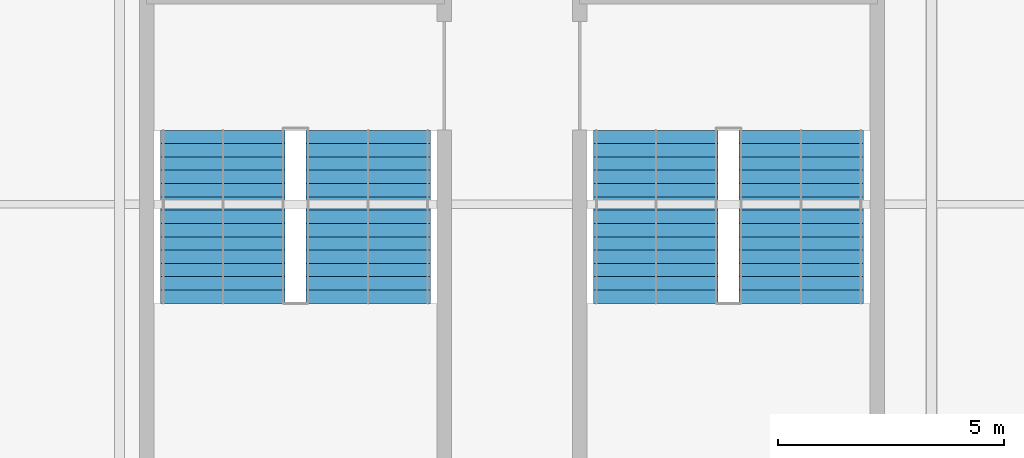
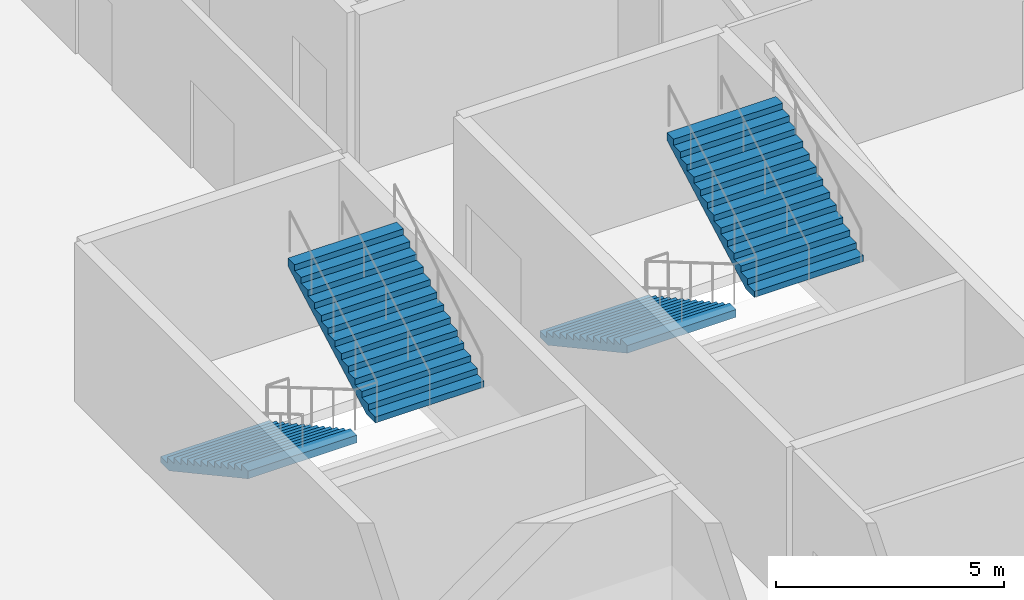
# One storey, part 22 of 28: 4 stair flights, 2 elements without a shape of their own.
"""IFC4 building model written with IfcOpenShell, lengths in metres."""

from ifc_helpers import new_model, si_unit, direction, frame, origin, place, context, subcontext, project, spatial, polygons, material, type_object, element, aggregate, save


model = new_model("IFC4")

# Units and contexts
model_context = context("Model", 3, precision=1e-05, world=origin(), true_north=direction((0.0, 1.0)))
body_context = subcontext(model_context, "Body", "Model", "MODEL_VIEW")
ifc_project = project(units=[si_unit("LENGTHUNIT", "METRE"), si_unit("AREAUNIT", "SQUARE_METRE"), si_unit("VOLUMEUNIT", "CUBIC_METRE"), si_unit("PLANEANGLEUNIT", "RADIAN"), si_unit("MASSUNIT", "GRAM", prefix="KILO")], contexts=[model_context])

# Site, building, storey
site_placement = place(None, origin())
site = spatial("IfcSite", under=ifc_project, at=site_placement, CompositionType="ELEMENT")
building_placement = place(site_placement, origin())
building = spatial("IfcBuilding", under=site, at=building_placement, Name="Kisiwana Market Hall", CompositionType="ELEMENT")
storey_placement = place(building_placement, frame((0.0, 0.0, 49.5)))
storey = spatial("IfcBuildingStorey", under=building, at=storey_placement, Name="L11", CompositionType="ELEMENT", Elevation=49.5)

# Stair, stair flights
ifc_material_1 = material(Name="Concrete C32/40", Category="concrete")
stair_type = type_object("IfcStairType", Name="ST-ESC-4500", PredefinedType="TWO_STRAIGHT_RUN_STAIR", material=ifc_material_1)
stair_1_placement = place(storey_placement, origin())
stair_1 = element("IfcStair", 1, at=stair_1_placement, inside=storey, type_object=stair_type, Name="Escape stair ST-E4-L11", PredefinedType="TWO_STRAIGHT_RUN_STAIR")
ifc_material_2 = material(Name="Concrete C32/40", Category="concrete")
stair_flight_type = type_object("IfcStairFlightType", Name="SF-ESC-4500", PredefinedType="STRAIGHT", material=ifc_material_2)
stair_flight_1_placement = place(storey_placement, frame((182.889892578125, 77.639892578125, 0.0), z_axis=(0.0, 0.0, 1.0), x_axis=(0.0, -1.0, 0.0)))
stair_flight_1 = element("IfcStairFlight", 2, at=stair_flight_1_placement, type_object=stair_flight_type, Name="ST-E4-L11 flight 1", NumberOfRisers=14, NumberOfTreads=13, PredefinedType="STRAIGHT", RiserHeight=0.160714, TreadLength=0.295, context=body_context, shape_type="Tessellation", body=[
    polygons([(0.0, -1.380127, 0.0), (0.0, -0.690125, 0.0), (0.0, -0.000122, 0.0), (0.0, 0.68988, 0.0), (0.0, 1.379883, 0.0), (0.0, -1.380127, 0.160645), (0.0, -0.690125, 0.160645), (0.0, -0.000122, 0.160645), (0.0, 0.68988, 0.160645), (0.0, 1.379883, 0.160645), (0.294922, -1.380127, 0.160645), (0.294922, -0.690125, 0.160645), (0.294922, -0.000122, 0.160645), (0.294922, 0.68988, 0.160645), (0.294922, 1.379883, 0.160645), (0.294922, -1.380127, 0.321533), (0.294922, -0.690125, 0.321533), (0.294922, -0.000122, 0.321533), (0.294922, 0.68988, 0.321533), (0.294922, 1.379883, 0.321533), (0.590088, -1.380127, 0.321533), (0.590088, -0.690125, 0.321533), (0.590088, -0.000122, 0.321533), (0.590088, 0.68988, 0.321533), (0.590088, 1.379883, 0.321533), (0.590088, -1.380127, 0.482178), (0.590088, -0.690125, 0.482178), (0.590088, -0.000122, 0.482178), (0.590088, 0.68988, 0.482178), (0.590088, 1.379883, 0.482178), (0.88501, -1.380127, 0.482178), (0.88501, -0.690125, 0.482178), (0.88501, -0.000122, 0.482178), (0.88501, 0.68988, 0.482178), (0.88501, 1.379883, 0.482178), (0.88501, -1.380127, 0.642822), (0.88501, -0.690125, 0.642822), (0.88501, -0.000122, 0.642822), (0.88501, 0.68988, 0.642822), (0.88501, 1.379883, 0.642822), (1.179932, -1.380127, 0.642822), (1.179932, -0.690125, 0.642822), (1.179932, -0.000122, 0.642822), (1.179932, 0.68988, 0.642822), (1.179932, 1.379883, 0.642822), (1.179932, -1.380127, 0.803467), (1.179932, -0.690125, 0.803467), (1.179932, -0.000122, 0.803467), (1.179932, 0.68988, 0.803467), (1.179932, 1.379883, 0.803467), (1.475098, -1.380127, 0.803467), (1.475098, -0.690125, 0.803467), (1.475098, -0.000122, 0.803467), (1.475098, 0.68988, 0.803467), (1.475098, 1.379883, 0.803467), (1.475098, -1.380127, 0.964355), (1.475098, -0.690125, 0.964355), (1.475098, -0.000122, 0.964355), (1.475098, 0.68988, 0.964355), (1.475098, 1.379883, 0.964355), (1.77002, -1.380127, 0.964355), (1.77002, -0.690125, 0.964355), (1.77002, -0.000122, 0.964355), (1.77002, 0.68988, 0.964355), (1.77002, 1.379883, 0.964355), (1.77002, -1.380127, 1.125), (1.77002, -0.690125, 1.125), (1.77002, -0.000122, 1.125), (1.77002, 0.68988, 1.125), (1.77002, 1.379883, 1.125), (2.064941, -1.380127, 1.125), (2.064941, -0.690125, 1.125), (2.064941, -0.000122, 1.125), (2.064941, 0.68988, 1.125), (2.064941, 1.379883, 1.125), (2.064941, -1.380127, 1.285645), (2.064941, -0.690125, 1.285645), (2.064941, -0.000122, 1.285645), (2.064941, 0.68988, 1.285645), (2.064941, 1.379883, 1.285645), (2.360107, -1.380127, 1.285645), (2.360107, -0.690125, 1.285645), (2.360107, -0.000122, 1.285645), (2.360107, 0.68988, 1.285645), (2.360107, 1.379883, 1.285645), (2.360107, -1.380127, 1.446533), (2.360107, -0.690125, 1.446533), (2.360107, -0.000122, 1.446533), (2.360107, 0.68988, 1.446533), (2.360107, 1.379883, 1.446533), (2.655029, -1.380127, 1.446533), (2.655029, -0.690125, 1.446533), (2.655029, -0.000122, 1.446533), (2.655029, 0.68988, 1.446533), (2.655029, 1.379883, 1.446533), (2.655029, -1.380127, 1.607178), (2.655029, -0.690125, 1.607178), (2.655029, -0.000122, 1.607178), (2.655029, 0.68988, 1.607178), (2.655029, 1.379883, 1.607178), (2.949951, -1.380127, 1.607178), (2.949951, -0.690125, 1.607178), (2.949951, -0.000122, 1.607178), (2.949951, 0.68988, 1.607178), (2.949951, 1.379883, 1.607178), (2.949951, -1.380127, 1.767822), (2.949951, -0.690125, 1.767822), (2.949951, -0.000122, 1.767822), (2.949951, 0.68988, 1.767822), (2.949951, 1.379883, 1.767822), (3.245117, -1.380127, 1.767822), (3.245117, -0.690125, 1.767822), (3.245117, -0.000122, 1.767822), (3.245117, 0.68988, 1.767822), (3.245117, 1.379883, 1.767822), (3.245117, -1.380127, 1.928467), (3.245117, -0.690125, 1.928467), (3.245117, -0.000122, 1.928467), (3.245117, 0.68988, 1.928467), (3.245117, 1.379883, 1.928467), (3.540039, -1.380127, 1.928467), (3.540039, -0.690125, 1.928467), (3.540039, -0.000122, 1.928467), (3.540039, 0.68988, 1.928467), (3.540039, 1.379883, 1.928467), (3.540039, -1.380127, 2.089355), (3.540039, -0.690125, 2.089355), (3.540039, -0.000122, 2.089355), (3.540039, 0.68988, 2.089355), (3.540039, 1.379883, 2.089355), (3.834961, -1.380127, 2.089355), (3.834961, -0.690125, 2.089355), (3.834961, -0.000122, 2.089355), (3.834961, 0.68988, 2.089355), (3.834961, 1.379883, 2.089355), (3.834961, -1.380127, 1.884277), (3.834961, -0.690125, 1.884277), (3.834961, -0.000122, 1.884277), (3.834961, 0.68988, 1.884277), (3.834961, 1.379883, 1.884277), (0.376221, -1.380127, 0.0), (0.376221, -0.690125, 0.0), (0.376221, -0.000122, 0.0), (0.376221, 0.68988, 0.0), (0.376221, 1.379883, 0.0)], [[[1, 6, 7, 2]], [[2, 7, 8, 3]], [[3, 8, 9, 4]], [[4, 9, 10, 5]], [[6, 11, 12, 7]], [[7, 12, 13, 8]], [[8, 13, 14, 9]], [[9, 14, 15, 10]], [[11, 16, 17, 12]], [[12, 17, 18, 13]], [[13, 18, 19, 14]], [[14, 19, 20, 15]], [[16, 21, 22, 17]], [[17, 22, 23, 18]], [[18, 23, 24, 19]], [[19, 24, 25, 20]], [[21, 26, 27, 22]], [[22, 27, 28, 23]], [[23, 28, 29, 24]], [[24, 29, 30, 25]], [[26, 31, 32, 27]], [[27, 32, 33, 28]], [[28, 33, 34, 29]], [[29, 34, 35, 30]], [[31, 36, 37, 32]], [[32, 37, 38, 33]], [[33, 38, 39, 34]], [[34, 39, 40, 35]], [[36, 41, 42, 37]], [[37, 42, 43, 38]], [[38, 43, 44, 39]], [[39, 44, 45, 40]], [[41, 46, 47, 42]], [[42, 47, 48, 43]], [[43, 48, 49, 44]], [[44, 49, 50, 45]], [[46, 51, 52, 47]], [[47, 52, 53, 48]], [[48, 53, 54, 49]], [[49, 54, 55, 50]], [[51, 56, 57, 52]], [[52, 57, 58, 53]], [[53, 58, 59, 54]], [[54, 59, 60, 55]], [[56, 61, 62, 57]], [[57, 62, 63, 58]], [[58, 63, 64, 59]], [[59, 64, 65, 60]], [[61, 66, 67, 62]], [[62, 67, 68, 63]], [[63, 68, 69, 64]], [[64, 69, 70, 65]], [[66, 71, 72, 67]], [[67, 72, 73, 68]], [[68, 73, 74, 69]], [[69, 74, 75, 70]], [[71, 76, 77, 72]], [[72, 77, 78, 73]], [[73, 78, 79, 74]], [[74, 79, 80, 75]], [[76, 81, 82, 77]], [[77, 82, 83, 78]], [[78, 83, 84, 79]], [[79, 84, 85, 80]], [[81, 86, 87, 82]], [[82, 87, 88, 83]], [[83, 88, 89, 84]], [[84, 89, 90, 85]], [[86, 91, 92, 87]], [[87, 92, 93, 88]], [[88, 93, 94, 89]], [[89, 94, 95, 90]], [[91, 96, 97, 92]], [[92, 97, 98, 93]], [[93, 98, 99, 94]], [[94, 99, 100, 95]], [[96, 101, 102, 97]], [[97, 102, 103, 98]], [[98, 103, 104, 99]], [[99, 104, 105, 100]], [[101, 106, 107, 102]], [[102, 107, 108, 103]], [[103, 108, 109, 104]], [[104, 109, 110, 105]], [[106, 111, 112, 107]], [[107, 112, 113, 108]], [[108, 113, 114, 109]], [[109, 114, 115, 110]], [[111, 116, 117, 112]], [[112, 117, 118, 113]], [[113, 118, 119, 114]], [[114, 119, 120, 115]], [[116, 121, 122, 117]], [[117, 122, 123, 118]], [[118, 123, 124, 119]], [[119, 124, 125, 120]], [[121, 126, 127, 122]], [[122, 127, 128, 123]], [[123, 128, 129, 124]], [[124, 129, 130, 125]], [[126, 131, 132, 127]], [[127, 132, 133, 128]], [[128, 133, 134, 129]], [[129, 134, 135, 130]], [[131, 136, 137, 132]], [[132, 137, 138, 133]], [[133, 138, 139, 134]], [[134, 139, 140, 135]], [[136, 141, 142, 137]], [[137, 142, 143, 138]], [[138, 143, 144, 139]], [[139, 144, 145, 140]], [[141, 1, 2, 142]], [[142, 2, 3, 143]], [[143, 3, 4, 144]], [[144, 4, 5, 145]], [[141, 136, 131, 126, 121, 116, 111, 106, 101, 96, 91, 86, 81, 76, 71, 66, 61, 56, 51, 46, 41, 36, 31, 26, 21, 16, 11, 6, 1]], [[5, 10, 15, 20, 25, 30, 35, 40, 45, 50, 55, 60, 65, 70, 75, 80, 85, 90, 95, 100, 105, 110, 115, 120, 125, 130, 135, 140, 145]]], closed=True),
])
stair_flight_2_placement = place(storey_placement, frame((186.110107421875, 73.804931640625, 2.25), z_axis=(0.0, 0.0, 1.0), x_axis=(0.0, 1.0, 0.0)))
stair_flight_2 = element("IfcStairFlight", 3, at=stair_flight_2_placement, type_object=stair_flight_type, Name="ST-E4-L11 flight 2", NumberOfRisers=14, NumberOfTreads=13, PredefinedType="STRAIGHT", RiserHeight=0.160714, TreadLength=0.295, context=body_context, shape_type="Tessellation", body=[
    polygons([(0.0, -1.380127, 0.0), (0.0, -0.690125, 0.0), (0.0, -0.000122, 0.0), (0.0, 0.68988, 0.0), (0.0, 1.379883, 0.0), (0.0, -1.380127, 0.160645), (0.0, -0.690125, 0.160645), (0.0, -0.000122, 0.160645), (0.0, 0.68988, 0.160645), (0.0, 1.379883, 0.160645), (0.294922, -1.380127, 0.160645), (0.294922, -0.690125, 0.160645), (0.294922, -0.000122, 0.160645), (0.294922, 0.68988, 0.160645), (0.294922, 1.379883, 0.160645), (0.294922, -1.380127, 0.321533), (0.294922, -0.690125, 0.321533), (0.294922, -0.000122, 0.321533), (0.294922, 0.68988, 0.321533), (0.294922, 1.379883, 0.321533), (0.590088, -1.380127, 0.321533), (0.590088, -0.690125, 0.321533), (0.590088, -0.000122, 0.321533), (0.590088, 0.68988, 0.321533), (0.590088, 1.379883, 0.321533), (0.590088, -1.380127, 0.482178), (0.590088, -0.690125, 0.482178), (0.590088, -0.000122, 0.482178), (0.590088, 0.68988, 0.482178), (0.590088, 1.379883, 0.482178), (0.88501, -1.380127, 0.482178), (0.88501, -0.690125, 0.482178), (0.88501, -0.000122, 0.482178), (0.88501, 0.68988, 0.482178), (0.88501, 1.379883, 0.482178), (0.88501, -1.380127, 0.642822), (0.88501, -0.690125, 0.642822), (0.88501, -0.000122, 0.642822), (0.88501, 0.68988, 0.642822), (0.88501, 1.379883, 0.642822), (1.179932, -1.380127, 0.642822), (1.179932, -0.690125, 0.642822), (1.179932, -0.000122, 0.642822), (1.179932, 0.68988, 0.642822), (1.179932, 1.379883, 0.642822), (1.179932, -1.380127, 0.803467), (1.179932, -0.690125, 0.803467), (1.179932, -0.000122, 0.803467), (1.179932, 0.68988, 0.803467), (1.179932, 1.379883, 0.803467), (1.475098, -1.380127, 0.803467), (1.475098, -0.690125, 0.803467), (1.475098, -0.000122, 0.803467), (1.475098, 0.68988, 0.803467), (1.475098, 1.379883, 0.803467), (1.475098, -1.380127, 0.964355), (1.475098, -0.690125, 0.964355), (1.475098, -0.000122, 0.964355), (1.475098, 0.68988, 0.964355), (1.475098, 1.379883, 0.964355), (1.77002, -1.380127, 0.964355), (1.77002, -0.690125, 0.964355), (1.77002, -0.000122, 0.964355), (1.77002, 0.68988, 0.964355), (1.77002, 1.379883, 0.964355), (1.77002, -1.380127, 1.125), (1.77002, -0.690125, 1.125), (1.77002, -0.000122, 1.125), (1.77002, 0.68988, 1.125), (1.77002, 1.379883, 1.125), (2.064941, -1.380127, 1.125), (2.064941, -0.690125, 1.125), (2.064941, -0.000122, 1.125), (2.064941, 0.68988, 1.125), (2.064941, 1.379883, 1.125), (2.064941, -1.380127, 1.285645), (2.064941, -0.690125, 1.285645), (2.064941, -0.000122, 1.285645), (2.064941, 0.68988, 1.285645), (2.064941, 1.379883, 1.285645), (2.360107, -1.380127, 1.285645), (2.360107, -0.690125, 1.285645), (2.360107, -0.000122, 1.285645), (2.360107, 0.68988, 1.285645), (2.360107, 1.379883, 1.285645), (2.360107, -1.380127, 1.446533), (2.360107, -0.690125, 1.446533), (2.360107, -0.000122, 1.446533), (2.360107, 0.68988, 1.446533), (2.360107, 1.379883, 1.446533), (2.655029, -1.380127, 1.446533), (2.655029, -0.690125, 1.446533), (2.655029, -0.000122, 1.446533), (2.655029, 0.68988, 1.446533), (2.655029, 1.379883, 1.446533), (2.655029, -1.380127, 1.607178), (2.655029, -0.690125, 1.607178), (2.655029, -0.000122, 1.607178), (2.655029, 0.68988, 1.607178), (2.655029, 1.379883, 1.607178), (2.949951, -1.380127, 1.607178), (2.949951, -0.690125, 1.607178), (2.949951, -0.000122, 1.607178), (2.949951, 0.68988, 1.607178), (2.949951, 1.379883, 1.607178), (2.949951, -1.380127, 1.767822), (2.949951, -0.690125, 1.767822), (2.949951, -0.000122, 1.767822), (2.949951, 0.68988, 1.767822), (2.949951, 1.379883, 1.767822), (3.245117, -1.380127, 1.767822), (3.245117, -0.690125, 1.767822), (3.245117, -0.000122, 1.767822), (3.245117, 0.68988, 1.767822), (3.245117, 1.379883, 1.767822), (3.245117, -1.380127, 1.928467), (3.245117, -0.690125, 1.928467), (3.245117, -0.000122, 1.928467), (3.245117, 0.68988, 1.928467), (3.245117, 1.379883, 1.928467), (3.540039, -1.380127, 1.928467), (3.540039, -0.690125, 1.928467), (3.540039, -0.000122, 1.928467), (3.540039, 0.68988, 1.928467), (3.540039, 1.379883, 1.928467), (3.540039, -1.380127, 2.089355), (3.540039, -0.690125, 2.089355), (3.540039, -0.000122, 2.089355), (3.540039, 0.68988, 2.089355), (3.540039, 1.379883, 2.089355), (3.834961, -1.380127, 2.089355), (3.834961, -0.690125, 2.089355), (3.834961, -0.000122, 2.089355), (3.834961, 0.68988, 2.089355), (3.834961, 1.379883, 2.089355), (3.834961, -1.380127, 1.884277), (3.834961, -0.690125, 1.884277), (3.834961, -0.000122, 1.884277), (3.834961, 0.68988, 1.884277), (3.834961, 1.379883, 1.884277), (0.376221, -1.380127, 0.0), (0.376221, -0.690125, 0.0), (0.376221, -0.000122, 0.0), (0.376221, 0.68988, 0.0), (0.376221, 1.379883, 0.0)], [[[1, 6, 7, 2]], [[2, 7, 8, 3]], [[3, 8, 9, 4]], [[4, 9, 10, 5]], [[6, 11, 12, 7]], [[7, 12, 13, 8]], [[8, 13, 14, 9]], [[9, 14, 15, 10]], [[11, 16, 17, 12]], [[12, 17, 18, 13]], [[13, 18, 19, 14]], [[14, 19, 20, 15]], [[16, 21, 22, 17]], [[17, 22, 23, 18]], [[18, 23, 24, 19]], [[19, 24, 25, 20]], [[21, 26, 27, 22]], [[22, 27, 28, 23]], [[23, 28, 29, 24]], [[24, 29, 30, 25]], [[26, 31, 32, 27]], [[27, 32, 33, 28]], [[28, 33, 34, 29]], [[29, 34, 35, 30]], [[31, 36, 37, 32]], [[32, 37, 38, 33]], [[33, 38, 39, 34]], [[34, 39, 40, 35]], [[36, 41, 42, 37]], [[37, 42, 43, 38]], [[38, 43, 44, 39]], [[39, 44, 45, 40]], [[41, 46, 47, 42]], [[42, 47, 48, 43]], [[43, 48, 49, 44]], [[44, 49, 50, 45]], [[46, 51, 52, 47]], [[47, 52, 53, 48]], [[48, 53, 54, 49]], [[49, 54, 55, 50]], [[51, 56, 57, 52]], [[52, 57, 58, 53]], [[53, 58, 59, 54]], [[54, 59, 60, 55]], [[56, 61, 62, 57]], [[57, 62, 63, 58]], [[58, 63, 64, 59]], [[59, 64, 65, 60]], [[61, 66, 67, 62]], [[62, 67, 68, 63]], [[63, 68, 69, 64]], [[64, 69, 70, 65]], [[66, 71, 72, 67]], [[67, 72, 73, 68]], [[68, 73, 74, 69]], [[69, 74, 75, 70]], [[71, 76, 77, 72]], [[72, 77, 78, 73]], [[73, 78, 79, 74]], [[74, 79, 80, 75]], [[76, 81, 82, 77]], [[77, 82, 83, 78]], [[78, 83, 84, 79]], [[79, 84, 85, 80]], [[81, 86, 87, 82]], [[82, 87, 88, 83]], [[83, 88, 89, 84]], [[84, 89, 90, 85]], [[86, 91, 92, 87]], [[87, 92, 93, 88]], [[88, 93, 94, 89]], [[89, 94, 95, 90]], [[91, 96, 97, 92]], [[92, 97, 98, 93]], [[93, 98, 99, 94]], [[94, 99, 100, 95]], [[96, 101, 102, 97]], [[97, 102, 103, 98]], [[98, 103, 104, 99]], [[99, 104, 105, 100]], [[101, 106, 107, 102]], [[102, 107, 108, 103]], [[103, 108, 109, 104]], [[104, 109, 110, 105]], [[106, 111, 112, 107]], [[107, 112, 113, 108]], [[108, 113, 114, 109]], [[109, 114, 115, 110]], [[111, 116, 117, 112]], [[112, 117, 118, 113]], [[113, 118, 119, 114]], [[114, 119, 120, 115]], [[116, 121, 122, 117]], [[117, 122, 123, 118]], [[118, 123, 124, 119]], [[119, 124, 125, 120]], [[121, 126, 127, 122]], [[122, 127, 128, 123]], [[123, 128, 129, 124]], [[124, 129, 130, 125]], [[126, 131, 132, 127]], [[127, 132, 133, 128]], [[128, 133, 134, 129]], [[129, 134, 135, 130]], [[131, 136, 137, 132]], [[132, 137, 138, 133]], [[133, 138, 139, 134]], [[134, 139, 140, 135]], [[136, 141, 142, 137]], [[137, 142, 143, 138]], [[138, 143, 144, 139]], [[139, 144, 145, 140]], [[141, 1, 2, 142]], [[142, 2, 3, 143]], [[143, 3, 4, 144]], [[144, 4, 5, 145]], [[141, 136, 131, 126, 121, 116, 111, 106, 101, 96, 91, 86, 81, 76, 71, 66, 61, 56, 51, 46, 41, 36, 31, 26, 21, 16, 11, 6, 1]], [[5, 10, 15, 20, 25, 30, 35, 40, 45, 50, 55, 60, 65, 70, 75, 80, 85, 90, 95, 100, 105, 110, 115, 120, 125, 130, 135, 140, 145]]], closed=True),
])
aggregate(stair_1, [stair_flight_1, stair_flight_2])

stair_2_placement = place(storey_placement, origin())
stair_2 = element("IfcStair", 4, at=stair_2_placement, inside=storey, type_object=stair_type, Name="Escape stair ST-E8-L11", PredefinedType="TWO_STRAIGHT_RUN_STAIR")
stair_flight_3_placement = place(storey_placement, frame((173.2900390625, 77.639892578125, 0.0), z_axis=(0.0, 0.0, 1.0), x_axis=(0.0, -1.0, 0.0)))
stair_flight_3 = element("IfcStairFlight", 5, at=stair_flight_3_placement, type_object=stair_flight_type, Name="ST-E8-L11 flight 1", NumberOfRisers=14, NumberOfTreads=13, PredefinedType="STRAIGHT", RiserHeight=0.160714, TreadLength=0.295, context=body_context, shape_type="Tessellation", body=[
    polygons([(0.0, -1.380127, 0.0), (0.0, -0.690125, 0.0), (0.0, -0.000122, 0.0), (0.0, 0.68988, 0.0), (0.0, 1.379883, 0.0), (0.0, -1.380127, 0.160645), (0.0, -0.690125, 0.160645), (0.0, -0.000122, 0.160645), (0.0, 0.68988, 0.160645), (0.0, 1.379883, 0.160645), (0.294922, -1.380127, 0.160645), (0.294922, -0.690125, 0.160645), (0.294922, -0.000122, 0.160645), (0.294922, 0.68988, 0.160645), (0.294922, 1.379883, 0.160645), (0.294922, -1.380127, 0.321533), (0.294922, -0.690125, 0.321533), (0.294922, -0.000122, 0.321533), (0.294922, 0.68988, 0.321533), (0.294922, 1.379883, 0.321533), (0.590088, -1.380127, 0.321533), (0.590088, -0.690125, 0.321533), (0.590088, -0.000122, 0.321533), (0.590088, 0.68988, 0.321533), (0.590088, 1.379883, 0.321533), (0.590088, -1.380127, 0.482178), (0.590088, -0.690125, 0.482178), (0.590088, -0.000122, 0.482178), (0.590088, 0.68988, 0.482178), (0.590088, 1.379883, 0.482178), (0.88501, -1.380127, 0.482178), (0.88501, -0.690125, 0.482178), (0.88501, -0.000122, 0.482178), (0.88501, 0.68988, 0.482178), (0.88501, 1.379883, 0.482178), (0.88501, -1.380127, 0.642822), (0.88501, -0.690125, 0.642822), (0.88501, -0.000122, 0.642822), (0.88501, 0.68988, 0.642822), (0.88501, 1.379883, 0.642822), (1.179932, -1.380127, 0.642822), (1.179932, -0.690125, 0.642822), (1.179932, -0.000122, 0.642822), (1.179932, 0.68988, 0.642822), (1.179932, 1.379883, 0.642822), (1.179932, -1.380127, 0.803467), (1.179932, -0.690125, 0.803467), (1.179932, -0.000122, 0.803467), (1.179932, 0.68988, 0.803467), (1.179932, 1.379883, 0.803467), (1.475098, -1.380127, 0.803467), (1.475098, -0.690125, 0.803467), (1.475098, -0.000122, 0.803467), (1.475098, 0.68988, 0.803467), (1.475098, 1.379883, 0.803467), (1.475098, -1.380127, 0.964355), (1.475098, -0.690125, 0.964355), (1.475098, -0.000122, 0.964355), (1.475098, 0.68988, 0.964355), (1.475098, 1.379883, 0.964355), (1.77002, -1.380127, 0.964355), (1.77002, -0.690125, 0.964355), (1.77002, -0.000122, 0.964355), (1.77002, 0.68988, 0.964355), (1.77002, 1.379883, 0.964355), (1.77002, -1.380127, 1.125), (1.77002, -0.690125, 1.125), (1.77002, -0.000122, 1.125), (1.77002, 0.68988, 1.125), (1.77002, 1.379883, 1.125), (2.064941, -1.380127, 1.125), (2.064941, -0.690125, 1.125), (2.064941, -0.000122, 1.125), (2.064941, 0.68988, 1.125), (2.064941, 1.379883, 1.125), (2.064941, -1.380127, 1.285645), (2.064941, -0.690125, 1.285645), (2.064941, -0.000122, 1.285645), (2.064941, 0.68988, 1.285645), (2.064941, 1.379883, 1.285645), (2.360107, -1.380127, 1.285645), (2.360107, -0.690125, 1.285645), (2.360107, -0.000122, 1.285645), (2.360107, 0.68988, 1.285645), (2.360107, 1.379883, 1.285645), (2.360107, -1.380127, 1.446533), (2.360107, -0.690125, 1.446533), (2.360107, -0.000122, 1.446533), (2.360107, 0.68988, 1.446533), (2.360107, 1.379883, 1.446533), (2.655029, -1.380127, 1.446533), (2.655029, -0.690125, 1.446533), (2.655029, -0.000122, 1.446533), (2.655029, 0.68988, 1.446533), (2.655029, 1.379883, 1.446533), (2.655029, -1.380127, 1.607178), (2.655029, -0.690125, 1.607178), (2.655029, -0.000122, 1.607178), (2.655029, 0.68988, 1.607178), (2.655029, 1.379883, 1.607178), (2.949951, -1.380127, 1.607178), (2.949951, -0.690125, 1.607178), (2.949951, -0.000122, 1.607178), (2.949951, 0.68988, 1.607178), (2.949951, 1.379883, 1.607178), (2.949951, -1.380127, 1.767822), (2.949951, -0.690125, 1.767822), (2.949951, -0.000122, 1.767822), (2.949951, 0.68988, 1.767822), (2.949951, 1.379883, 1.767822), (3.245117, -1.380127, 1.767822), (3.245117, -0.690125, 1.767822), (3.245117, -0.000122, 1.767822), (3.245117, 0.68988, 1.767822), (3.245117, 1.379883, 1.767822), (3.245117, -1.380127, 1.928467), (3.245117, -0.690125, 1.928467), (3.245117, -0.000122, 1.928467), (3.245117, 0.68988, 1.928467), (3.245117, 1.379883, 1.928467), (3.540039, -1.380127, 1.928467), (3.540039, -0.690125, 1.928467), (3.540039, -0.000122, 1.928467), (3.540039, 0.68988, 1.928467), (3.540039, 1.379883, 1.928467), (3.540039, -1.380127, 2.089355), (3.540039, -0.690125, 2.089355), (3.540039, -0.000122, 2.089355), (3.540039, 0.68988, 2.089355), (3.540039, 1.379883, 2.089355), (3.834961, -1.380127, 2.089355), (3.834961, -0.690125, 2.089355), (3.834961, -0.000122, 2.089355), (3.834961, 0.68988, 2.089355), (3.834961, 1.379883, 2.089355), (3.834961, -1.380127, 1.884277), (3.834961, -0.690125, 1.884277), (3.834961, -0.000122, 1.884277), (3.834961, 0.68988, 1.884277), (3.834961, 1.379883, 1.884277), (0.376221, -1.380127, 0.0), (0.376221, -0.690125, 0.0), (0.376221, -0.000122, 0.0), (0.376221, 0.68988, 0.0), (0.376221, 1.379883, 0.0)], [[[1, 6, 7, 2]], [[2, 7, 8, 3]], [[3, 8, 9, 4]], [[4, 9, 10, 5]], [[6, 11, 12, 7]], [[7, 12, 13, 8]], [[8, 13, 14, 9]], [[9, 14, 15, 10]], [[11, 16, 17, 12]], [[12, 17, 18, 13]], [[13, 18, 19, 14]], [[14, 19, 20, 15]], [[16, 21, 22, 17]], [[17, 22, 23, 18]], [[18, 23, 24, 19]], [[19, 24, 25, 20]], [[21, 26, 27, 22]], [[22, 27, 28, 23]], [[23, 28, 29, 24]], [[24, 29, 30, 25]], [[26, 31, 32, 27]], [[27, 32, 33, 28]], [[28, 33, 34, 29]], [[29, 34, 35, 30]], [[31, 36, 37, 32]], [[32, 37, 38, 33]], [[33, 38, 39, 34]], [[34, 39, 40, 35]], [[36, 41, 42, 37]], [[37, 42, 43, 38]], [[38, 43, 44, 39]], [[39, 44, 45, 40]], [[41, 46, 47, 42]], [[42, 47, 48, 43]], [[43, 48, 49, 44]], [[44, 49, 50, 45]], [[46, 51, 52, 47]], [[47, 52, 53, 48]], [[48, 53, 54, 49]], [[49, 54, 55, 50]], [[51, 56, 57, 52]], [[52, 57, 58, 53]], [[53, 58, 59, 54]], [[54, 59, 60, 55]], [[56, 61, 62, 57]], [[57, 62, 63, 58]], [[58, 63, 64, 59]], [[59, 64, 65, 60]], [[61, 66, 67, 62]], [[62, 67, 68, 63]], [[63, 68, 69, 64]], [[64, 69, 70, 65]], [[66, 71, 72, 67]], [[67, 72, 73, 68]], [[68, 73, 74, 69]], [[69, 74, 75, 70]], [[71, 76, 77, 72]], [[72, 77, 78, 73]], [[73, 78, 79, 74]], [[74, 79, 80, 75]], [[76, 81, 82, 77]], [[77, 82, 83, 78]], [[78, 83, 84, 79]], [[79, 84, 85, 80]], [[81, 86, 87, 82]], [[82, 87, 88, 83]], [[83, 88, 89, 84]], [[84, 89, 90, 85]], [[86, 91, 92, 87]], [[87, 92, 93, 88]], [[88, 93, 94, 89]], [[89, 94, 95, 90]], [[91, 96, 97, 92]], [[92, 97, 98, 93]], [[93, 98, 99, 94]], [[94, 99, 100, 95]], [[96, 101, 102, 97]], [[97, 102, 103, 98]], [[98, 103, 104, 99]], [[99, 104, 105, 100]], [[101, 106, 107, 102]], [[102, 107, 108, 103]], [[103, 108, 109, 104]], [[104, 109, 110, 105]], [[106, 111, 112, 107]], [[107, 112, 113, 108]], [[108, 113, 114, 109]], [[109, 114, 115, 110]], [[111, 116, 117, 112]], [[112, 117, 118, 113]], [[113, 118, 119, 114]], [[114, 119, 120, 115]], [[116, 121, 122, 117]], [[117, 122, 123, 118]], [[118, 123, 124, 119]], [[119, 124, 125, 120]], [[121, 126, 127, 122]], [[122, 127, 128, 123]], [[123, 128, 129, 124]], [[124, 129, 130, 125]], [[126, 131, 132, 127]], [[127, 132, 133, 128]], [[128, 133, 134, 129]], [[129, 134, 135, 130]], [[131, 136, 137, 132]], [[132, 137, 138, 133]], [[133, 138, 139, 134]], [[134, 139, 140, 135]], [[136, 141, 142, 137]], [[137, 142, 143, 138]], [[138, 143, 144, 139]], [[139, 144, 145, 140]], [[141, 1, 2, 142]], [[142, 2, 3, 143]], [[143, 3, 4, 144]], [[144, 4, 5, 145]], [[141, 136, 131, 126, 121, 116, 111, 106, 101, 96, 91, 86, 81, 76, 71, 66, 61, 56, 51, 46, 41, 36, 31, 26, 21, 16, 11, 6, 1]], [[5, 10, 15, 20, 25, 30, 35, 40, 45, 50, 55, 60, 65, 70, 75, 80, 85, 90, 95, 100, 105, 110, 115, 120, 125, 130, 135, 140, 145]]], closed=True),
])
stair_flight_4_placement = place(storey_placement, frame((176.510009765625, 73.804931640625, 2.25), z_axis=(0.0, 0.0, 1.0), x_axis=(0.0, 1.0, 0.0)))
stair_flight_4 = element("IfcStairFlight", 6, at=stair_flight_4_placement, type_object=stair_flight_type, Name="ST-E8-L11 flight 2", NumberOfRisers=14, NumberOfTreads=13, PredefinedType="STRAIGHT", RiserHeight=0.160714, TreadLength=0.295, context=body_context, shape_type="Tessellation", body=[
    polygons([(0.0, -1.380127, 0.0), (0.0, -0.690125, 0.0), (0.0, -0.000122, 0.0), (0.0, 0.68988, 0.0), (0.0, 1.379883, 0.0), (0.0, -1.380127, 0.160645), (0.0, -0.690125, 0.160645), (0.0, -0.000122, 0.160645), (0.0, 0.68988, 0.160645), (0.0, 1.379883, 0.160645), (0.294922, -1.380127, 0.160645), (0.294922, -0.690125, 0.160645), (0.294922, -0.000122, 0.160645), (0.294922, 0.68988, 0.160645), (0.294922, 1.379883, 0.160645), (0.294922, -1.380127, 0.321533), (0.294922, -0.690125, 0.321533), (0.294922, -0.000122, 0.321533), (0.294922, 0.68988, 0.321533), (0.294922, 1.379883, 0.321533), (0.590088, -1.380127, 0.321533), (0.590088, -0.690125, 0.321533), (0.590088, -0.000122, 0.321533), (0.590088, 0.68988, 0.321533), (0.590088, 1.379883, 0.321533), (0.590088, -1.380127, 0.482178), (0.590088, -0.690125, 0.482178), (0.590088, -0.000122, 0.482178), (0.590088, 0.68988, 0.482178), (0.590088, 1.379883, 0.482178), (0.88501, -1.380127, 0.482178), (0.88501, -0.690125, 0.482178), (0.88501, -0.000122, 0.482178), (0.88501, 0.68988, 0.482178), (0.88501, 1.379883, 0.482178), (0.88501, -1.380127, 0.642822), (0.88501, -0.690125, 0.642822), (0.88501, -0.000122, 0.642822), (0.88501, 0.68988, 0.642822), (0.88501, 1.379883, 0.642822), (1.179932, -1.380127, 0.642822), (1.179932, -0.690125, 0.642822), (1.179932, -0.000122, 0.642822), (1.179932, 0.68988, 0.642822), (1.179932, 1.379883, 0.642822), (1.179932, -1.380127, 0.803467), (1.179932, -0.690125, 0.803467), (1.179932, -0.000122, 0.803467), (1.179932, 0.68988, 0.803467), (1.179932, 1.379883, 0.803467), (1.475098, -1.380127, 0.803467), (1.475098, -0.690125, 0.803467), (1.475098, -0.000122, 0.803467), (1.475098, 0.68988, 0.803467), (1.475098, 1.379883, 0.803467), (1.475098, -1.380127, 0.964355), (1.475098, -0.690125, 0.964355), (1.475098, -0.000122, 0.964355), (1.475098, 0.68988, 0.964355), (1.475098, 1.379883, 0.964355), (1.77002, -1.380127, 0.964355), (1.77002, -0.690125, 0.964355), (1.77002, -0.000122, 0.964355), (1.77002, 0.68988, 0.964355), (1.77002, 1.379883, 0.964355), (1.77002, -1.380127, 1.125), (1.77002, -0.690125, 1.125), (1.77002, -0.000122, 1.125), (1.77002, 0.68988, 1.125), (1.77002, 1.379883, 1.125), (2.064941, -1.380127, 1.125), (2.064941, -0.690125, 1.125), (2.064941, -0.000122, 1.125), (2.064941, 0.68988, 1.125), (2.064941, 1.379883, 1.125), (2.064941, -1.380127, 1.285645), (2.064941, -0.690125, 1.285645), (2.064941, -0.000122, 1.285645), (2.064941, 0.68988, 1.285645), (2.064941, 1.379883, 1.285645), (2.360107, -1.380127, 1.285645), (2.360107, -0.690125, 1.285645), (2.360107, -0.000122, 1.285645), (2.360107, 0.68988, 1.285645), (2.360107, 1.379883, 1.285645), (2.360107, -1.380127, 1.446533), (2.360107, -0.690125, 1.446533), (2.360107, -0.000122, 1.446533), (2.360107, 0.68988, 1.446533), (2.360107, 1.379883, 1.446533), (2.655029, -1.380127, 1.446533), (2.655029, -0.690125, 1.446533), (2.655029, -0.000122, 1.446533), (2.655029, 0.68988, 1.446533), (2.655029, 1.379883, 1.446533), (2.655029, -1.380127, 1.607178), (2.655029, -0.690125, 1.607178), (2.655029, -0.000122, 1.607178), (2.655029, 0.68988, 1.607178), (2.655029, 1.379883, 1.607178), (2.949951, -1.380127, 1.607178), (2.949951, -0.690125, 1.607178), (2.949951, -0.000122, 1.607178), (2.949951, 0.68988, 1.607178), (2.949951, 1.379883, 1.607178), (2.949951, -1.380127, 1.767822), (2.949951, -0.690125, 1.767822), (2.949951, -0.000122, 1.767822), (2.949951, 0.68988, 1.767822), (2.949951, 1.379883, 1.767822), (3.245117, -1.380127, 1.767822), (3.245117, -0.690125, 1.767822), (3.245117, -0.000122, 1.767822), (3.245117, 0.68988, 1.767822), (3.245117, 1.379883, 1.767822), (3.245117, -1.380127, 1.928467), (3.245117, -0.690125, 1.928467), (3.245117, -0.000122, 1.928467), (3.245117, 0.68988, 1.928467), (3.245117, 1.379883, 1.928467), (3.540039, -1.380127, 1.928467), (3.540039, -0.690125, 1.928467), (3.540039, -0.000122, 1.928467), (3.540039, 0.68988, 1.928467), (3.540039, 1.379883, 1.928467), (3.540039, -1.380127, 2.089355), (3.540039, -0.690125, 2.089355), (3.540039, -0.000122, 2.089355), (3.540039, 0.68988, 2.089355), (3.540039, 1.379883, 2.089355), (3.834961, -1.380127, 2.089355), (3.834961, -0.690125, 2.089355), (3.834961, -0.000122, 2.089355), (3.834961, 0.68988, 2.089355), (3.834961, 1.379883, 2.089355), (3.834961, -1.380127, 1.884277), (3.834961, -0.690125, 1.884277), (3.834961, -0.000122, 1.884277), (3.834961, 0.68988, 1.884277), (3.834961, 1.379883, 1.884277), (0.376221, -1.380127, 0.0), (0.376221, -0.690125, 0.0), (0.376221, -0.000122, 0.0), (0.376221, 0.68988, 0.0), (0.376221, 1.379883, 0.0)], [[[1, 6, 7, 2]], [[2, 7, 8, 3]], [[3, 8, 9, 4]], [[4, 9, 10, 5]], [[6, 11, 12, 7]], [[7, 12, 13, 8]], [[8, 13, 14, 9]], [[9, 14, 15, 10]], [[11, 16, 17, 12]], [[12, 17, 18, 13]], [[13, 18, 19, 14]], [[14, 19, 20, 15]], [[16, 21, 22, 17]], [[17, 22, 23, 18]], [[18, 23, 24, 19]], [[19, 24, 25, 20]], [[21, 26, 27, 22]], [[22, 27, 28, 23]], [[23, 28, 29, 24]], [[24, 29, 30, 25]], [[26, 31, 32, 27]], [[27, 32, 33, 28]], [[28, 33, 34, 29]], [[29, 34, 35, 30]], [[31, 36, 37, 32]], [[32, 37, 38, 33]], [[33, 38, 39, 34]], [[34, 39, 40, 35]], [[36, 41, 42, 37]], [[37, 42, 43, 38]], [[38, 43, 44, 39]], [[39, 44, 45, 40]], [[41, 46, 47, 42]], [[42, 47, 48, 43]], [[43, 48, 49, 44]], [[44, 49, 50, 45]], [[46, 51, 52, 47]], [[47, 52, 53, 48]], [[48, 53, 54, 49]], [[49, 54, 55, 50]], [[51, 56, 57, 52]], [[52, 57, 58, 53]], [[53, 58, 59, 54]], [[54, 59, 60, 55]], [[56, 61, 62, 57]], [[57, 62, 63, 58]], [[58, 63, 64, 59]], [[59, 64, 65, 60]], [[61, 66, 67, 62]], [[62, 67, 68, 63]], [[63, 68, 69, 64]], [[64, 69, 70, 65]], [[66, 71, 72, 67]], [[67, 72, 73, 68]], [[68, 73, 74, 69]], [[69, 74, 75, 70]], [[71, 76, 77, 72]], [[72, 77, 78, 73]], [[73, 78, 79, 74]], [[74, 79, 80, 75]], [[76, 81, 82, 77]], [[77, 82, 83, 78]], [[78, 83, 84, 79]], [[79, 84, 85, 80]], [[81, 86, 87, 82]], [[82, 87, 88, 83]], [[83, 88, 89, 84]], [[84, 89, 90, 85]], [[86, 91, 92, 87]], [[87, 92, 93, 88]], [[88, 93, 94, 89]], [[89, 94, 95, 90]], [[91, 96, 97, 92]], [[92, 97, 98, 93]], [[93, 98, 99, 94]], [[94, 99, 100, 95]], [[96, 101, 102, 97]], [[97, 102, 103, 98]], [[98, 103, 104, 99]], [[99, 104, 105, 100]], [[101, 106, 107, 102]], [[102, 107, 108, 103]], [[103, 108, 109, 104]], [[104, 109, 110, 105]], [[106, 111, 112, 107]], [[107, 112, 113, 108]], [[108, 113, 114, 109]], [[109, 114, 115, 110]], [[111, 116, 117, 112]], [[112, 117, 118, 113]], [[113, 118, 119, 114]], [[114, 119, 120, 115]], [[116, 121, 122, 117]], [[117, 122, 123, 118]], [[118, 123, 124, 119]], [[119, 124, 125, 120]], [[121, 126, 127, 122]], [[122, 127, 128, 123]], [[123, 128, 129, 124]], [[124, 129, 130, 125]], [[126, 131, 132, 127]], [[127, 132, 133, 128]], [[128, 133, 134, 129]], [[129, 134, 135, 130]], [[131, 136, 137, 132]], [[132, 137, 138, 133]], [[133, 138, 139, 134]], [[134, 139, 140, 135]], [[136, 141, 142, 137]], [[137, 142, 143, 138]], [[138, 143, 144, 139]], [[139, 144, 145, 140]], [[141, 1, 2, 142]], [[142, 2, 3, 143]], [[143, 3, 4, 144]], [[144, 4, 5, 145]], [[141, 136, 131, 126, 121, 116, 111, 106, 101, 96, 91, 86, 81, 76, 71, 66, 61, 56, 51, 46, 41, 36, 31, 26, 21, 16, 11, 6, 1]], [[5, 10, 15, 20, 25, 30, 35, 40, 45, 50, 55, 60, 65, 70, 75, 80, 85, 90, 95, 100, 105, 110, 115, 120, 125, 130, 135, 140, 145]]], closed=True),
])
aggregate(stair_2, [stair_flight_3, stair_flight_4])

save(model, "model.ifc")
